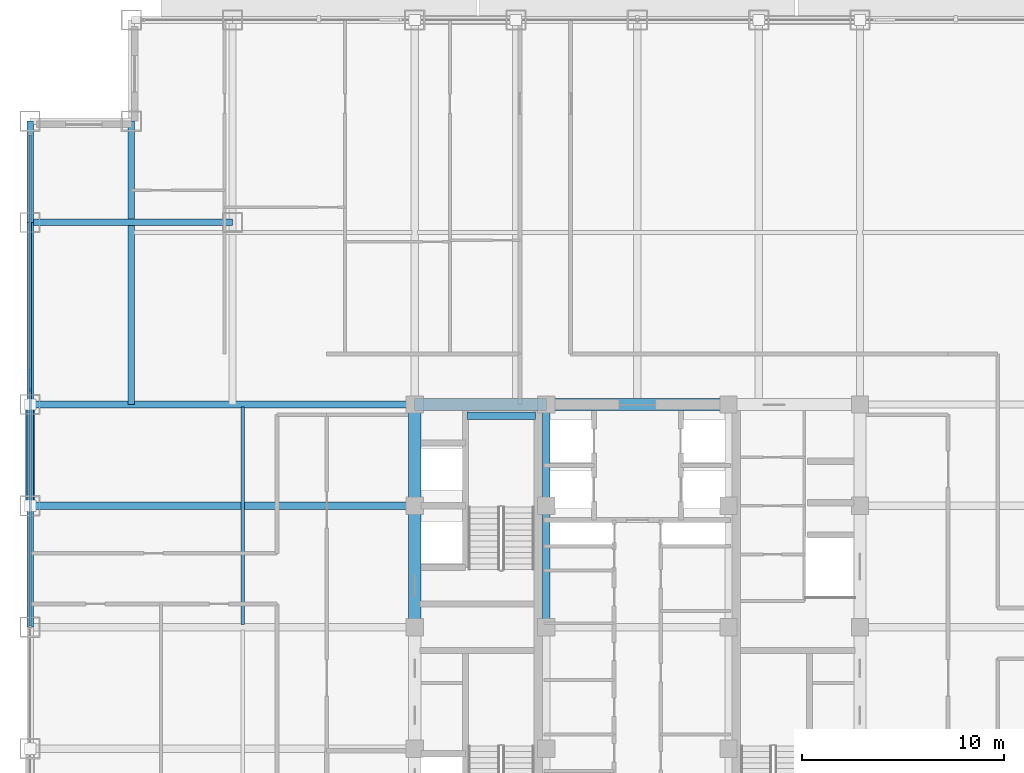
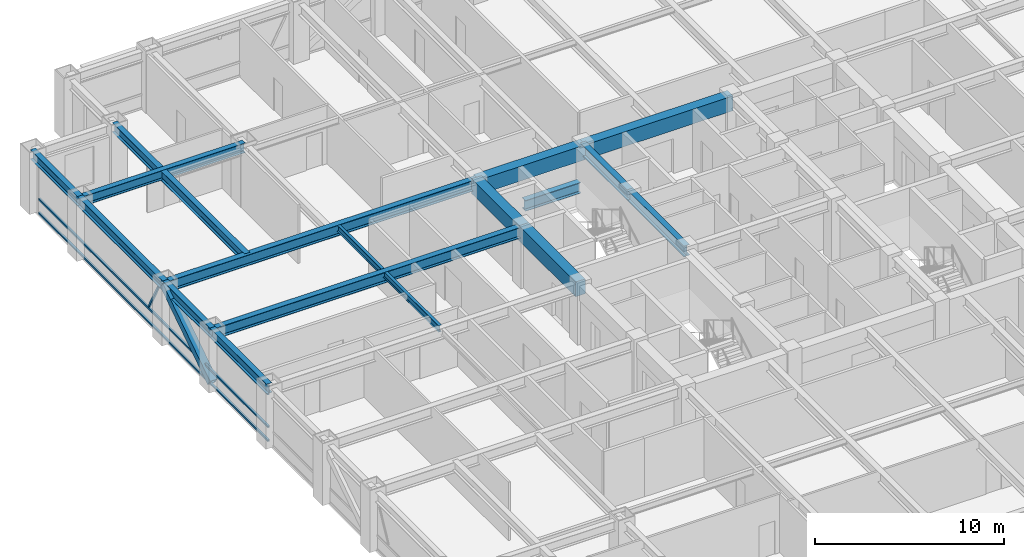
# One storey, part 11 of 29: 16 beams, 5 members, 1 element without a shape of its own.
"""IFC4 building model written with IfcOpenShell, lengths in metres."""

from ifc_helpers import new_model, si_unit, direction, frame, origin, origin_2d, place, context, subcontext, project, spatial, rectangle, hollow_rectangle, i_section, extrude, source, transform, mapped, material, material_profile, profile_set, type_object, element, aggregate, save


model = new_model("IFC4")

# Units and contexts
model_context = context("Model", 3, precision=1e-05, world=origin(), true_north=direction((0.0, 1.0)))
body_context = subcontext(model_context, "Body", "Model", "MODEL_VIEW")
ifc_project = project(units=[si_unit("LENGTHUNIT", "METRE"), si_unit("AREAUNIT", "SQUARE_METRE"), si_unit("VOLUMEUNIT", "CUBIC_METRE"), si_unit("PLANEANGLEUNIT", "RADIAN"), si_unit("MASSUNIT", "GRAM", prefix="KILO")], contexts=[model_context])

# Site, building, storey
site_placement = place(None, origin())
site = spatial("IfcSite", under=ifc_project, at=site_placement, CompositionType="ELEMENT")
building_placement = place(site_placement, origin())
building = spatial("IfcBuilding", under=site, at=building_placement, Name="Khorayat Bourse Tower", CompositionType="ELEMENT")
storey_placement = place(building_placement, frame((0.0, 0.0, 235.10009765625)))
storey = spatial("IfcBuildingStorey", under=building, at=storey_placement, Name="L55", CompositionType="ELEMENT", Elevation=235.10009765625)

# Beams
ifc_material_1 = material(Name="Steel ASTM A992 Grade 50", Category="steel")
ifc_material_profile_1 = material_profile(ifc_material_1, i_section(OverallWidth=0.35498046875, OverallDepth=0.695068359375, WebThickness=0.015380859375, FlangeThickness=0.02490234375, FilletRadius=0.01806640625, at=origin_2d()), Name="W690X217")
ifc_profile_set_1 = profile_set([ifc_material_profile_1], Name="Steel ASTM A992 Grade 50")
beam_type_1 = type_object("IfcBeamType", Name="BM-GIRD-690", PredefinedType="BEAM", material=ifc_profile_set_1)
shared_shape_1 = source(origin(), body_context, "Body", "SweptSolid", [
    extrude(i_section(OverallWidth=0.35498046875, OverallDepth=0.695068359375, WebThickness=0.015380859375, FlangeThickness=0.02490234375, FilletRadius=0.01806640625, at=origin_2d()), origin(), (0.0, 0.0, 1.0), 5.0),
])
beam_1_placement = place(storey_placement, frame((-4.5, 6.0, 3.432373046875), z_axis=(0.0, 1.0, 0.0), x_axis=(-1.0, 0.0, 0.0)))
element("IfcBeam", 1, at=beam_1_placement, inside=storey, type_object=beam_type_1, Name="L55 BM-GIRD-690 BM-L55-CRX-08", PredefinedType="BEAM", context=body_context, shape_type="MappedRepresentation", body=[
    mapped(shared_shape_1, transform((0.0, 0.0, 0.0), scale=1.0)),
])
shared_shape_2 = source(origin(), body_context, "Body", "SweptSolid", [
    extrude(i_section(OverallWidth=0.35498046875, OverallDepth=0.695068359375, WebThickness=0.015380859375, FlangeThickness=0.02490234375, FilletRadius=0.01806640625, at=origin_2d()), origin(), (0.0, 0.0, 1.0), 6.0),
])
beam_2_placement = place(storey_placement, frame((-4.5, 0.0, 3.432373046875), z_axis=(0.0, 1.0, 0.0), x_axis=(-1.0, 0.0, 0.0)))
element("IfcBeam", 2, at=beam_2_placement, inside=storey, type_object=beam_type_1, Name="L55 BM-GIRD-690 BM-L55-CRX-07", PredefinedType="BEAM", context=body_context, shape_type="MappedRepresentation", body=[
    mapped(shared_shape_2, transform((0.0, 0.0, 0.0), scale=1.0)),
])
shared_shape_3 = source(origin(), body_context, "Body", "SweptSolid", [
    extrude(i_section(OverallWidth=0.35498046875, OverallDepth=0.695068359375, WebThickness=0.015380859375, FlangeThickness=0.02490234375, FilletRadius=0.01806640625, at=origin_2d()), origin(), (0.0, 0.0, 1.0), 3.39990234375),
])
beam_3_placement = place(storey_placement, frame((-8.419921875, 10.449951171875, 1.452392578125), z_axis=(1.0, 0.0, 0.0), x_axis=(0.0, 1.0, 0.0)))
element("IfcBeam", 3, at=beam_3_placement, inside=storey, type_object=beam_type_1, Name="L55 BM-GIRD-690 BM-L55-ST2L", PredefinedType="BEAM", context=body_context, shape_type="MappedRepresentation", body=[
    mapped(shared_shape_3, transform((0.0, 0.0, 0.0), scale=1.0)),
])
ifc_material_profile_2 = material_profile(ifc_material_1, i_section(OverallWidth=0.324951171875, OverallDepth=0.615966796875, WebThickness=0.013916015625, FlangeThickness=0.021484375, FilletRadius=0.01611328125, at=origin_2d()), Name="W610X174")
ifc_profile_set_2 = profile_set([ifc_material_profile_2], Name="Steel ASTM A992 Grade 50")
beam_type_2 = type_object("IfcBeamType", Name="BM-GIRD-610", PredefinedType="BEAM", material=ifc_profile_set_2)
shared_shape_4 = source(origin(), body_context, "Body", "SweptSolid", [
    extrude(i_section(OverallWidth=0.324951171875, OverallDepth=0.615966796875, WebThickness=0.013916015625, FlangeThickness=0.021484375, FilletRadius=0.01611328125, at=origin_2d()), origin(), (0.0, 0.0, 1.0), 10.0),
])
beam_4_placement = place(storey_placement, frame((-30.0, 20.0, 3.471923828125), z_axis=(1.0, 0.0, 0.0), x_axis=(0.0, 1.0, 0.0)))
element("IfcBeam", 4, at=beam_4_placement, inside=storey, type_object=beam_type_2, Name="L55 BM-GIRD-610 BM-L55-CNRX-095", PredefinedType="BEAM", context=body_context, shape_type="MappedRepresentation", body=[
    mapped(shared_shape_4, transform((0.0, 0.0, 0.0), scale=1.0)),
])
ifc_material_profile_3 = material_profile(ifc_material_1, i_section(OverallWidth=0.180908203125, OverallDepth=0.4169921875, WebThickness=0.010986328125, FlangeThickness=0.018310546875, FilletRadius=0.011962890625, at=origin_2d()), Name="W410X85")
ifc_profile_set_3 = profile_set([ifc_material_profile_3], Name="Steel ASTM A992 Grade 50")
beam_type_3 = type_object("IfcBeamType", Name="BM-JOIST-410", PredefinedType="JOIST", material=ifc_profile_set_3)
shared_shape_5 = source(origin(), body_context, "Body", "SweptSolid", [
    extrude(i_section(OverallWidth=0.180908203125, OverallDepth=0.4169921875, WebThickness=0.010986328125, FlangeThickness=0.018310546875, FilletRadius=0.011962890625, at=origin_2d()), origin(), (0.0, 0.0, 1.0), 10.740234375),
])
beam_5_placement = place(storey_placement, frame((-19.5, 0.1298828125, 3.5712890625), z_axis=(0.0, 1.0, 0.0), x_axis=(-1.0, 0.0, 0.0)))
element("IfcBeam", 5, at=beam_5_placement, inside=storey, type_object=beam_type_3, Name="L55 BM-JOIST-410 BM-L55-JSTY-103", PredefinedType="JOIST", context=body_context, shape_type="MappedRepresentation", body=[
    mapped(shared_shape_5, transform((0.0, 0.0, 0.0), scale=1.0)),
])
ifc_material_profile_4 = material_profile(ifc_material_1, i_section(OverallWidth=0.324951171875, OverallDepth=0.615966796875, WebThickness=0.013916015625, FlangeThickness=0.021484375, FilletRadius=0.01611328125, at=origin_2d()), Name="W610X174")
ifc_profile_set_4 = profile_set([ifc_material_profile_4], Name="Steel ASTM A992 Grade 50")
beam_type_4 = type_object("IfcBeamType", Name="BM-SPAN-610", PredefinedType="SPANDREL", material=ifc_profile_set_4)
shared_shape_6 = source(origin(), body_context, "Body", "SweptSolid", [
    extrude(i_section(OverallWidth=0.324951171875, OverallDepth=0.615966796875, WebThickness=0.013916015625, FlangeThickness=0.021484375, FilletRadius=0.01611328125, at=origin_2d()), origin(), (0.0, 0.0, 1.0), 9.0),
])
beam_6_placement = place(storey_placement, frame((-30.0, 11.0, 3.471923828125), z_axis=(0.0, 1.0, 0.0), x_axis=(-1.0, 0.0, 0.0)))
element("IfcBeam", 6, at=beam_6_placement, inside=storey, type_object=beam_type_4, Name="L55 BM-SPAN-610 BM-L55-SPN-055", PredefinedType="SPANDREL", context=body_context, shape_type="MappedRepresentation", body=[
    mapped(shared_shape_6, transform((0.0, 0.0, 0.0), scale=1.0)),
])
shared_shape_7 = source(origin(), body_context, "Body", "SweptSolid", [
    extrude(i_section(OverallWidth=0.324951171875, OverallDepth=0.615966796875, WebThickness=0.013916015625, FlangeThickness=0.021484375, FilletRadius=0.01611328125, at=origin_2d()), origin(), (0.0, 0.0, 1.0), 5.0),
])
for number, where, z_axis, x_axis, name in (
    (7, (-30.0, 20.0, 3.471923828125), (0.0, 1.0, 0.0), (-1.0, 0.0, 0.0), "L55 BM-SPAN-610 BM-L55-SPN-054"),
    (8, (-30.0, 6.0, 3.471923828125), (0.0, 1.0, 0.0), (-1.0, 0.0, 0.0), "L55 BM-SPAN-610 BM-L55-SPN-056"),
):
    element("IfcBeam", number, at=place(storey_placement, frame(where, z_axis=z_axis, x_axis=x_axis)), inside=storey, type_object=beam_type_4, Name=name, PredefinedType="SPANDREL", context=body_context, shape_type="MappedRepresentation", body=[
        mapped(shared_shape_7, transform((0.0, 0.0, 0.0), scale=1.0)),
    ])
shared_shape_8 = source(origin(), body_context, "Body", "SweptSolid", [
    extrude(i_section(OverallWidth=0.324951171875, OverallDepth=0.615966796875, WebThickness=0.013916015625, FlangeThickness=0.021484375, FilletRadius=0.01611328125, at=origin_2d()), origin(), (0.0, 0.0, 1.0), 6.0),
])
beam_7_placement = place(storey_placement, frame((-30.0, 0.0, 3.471923828125), z_axis=(0.0, 1.0, 0.0), x_axis=(-1.0, 0.0, 0.0)))
element("IfcBeam", 9, at=beam_7_placement, inside=storey, type_object=beam_type_4, Name="L55 BM-SPAN-610 BM-L55-SPN-057", PredefinedType="SPANDREL", context=body_context, shape_type="MappedRepresentation", body=[
    mapped(shared_shape_8, transform((0.0, 0.0, 0.0), scale=1.0)),
])
ifc_material_2 = material(Name="Concrete C60/75", Category="concrete")
ifc_material_profile_5 = material_profile(ifc_material_2, rectangle(XDim=0.60009765625, YDim=0.949951171875, at=origin_2d()), Name="RC 600x950")
ifc_profile_set_5 = profile_set([ifc_material_profile_5], Name="Concrete C60/75")
beam_type_5 = type_object("IfcBeamType", Name="BM-COUP-950", PredefinedType="BEAM", material=ifc_profile_set_5)
shared_shape_9 = source(origin(), body_context, "Body", "SweptSolid", [
    extrude(rectangle(XDim=0.60009765625, YDim=0.949951171875, at=origin_2d()), origin(), (0.0, 0.0, 1.0), 5.0),
])
beam_8_placement = place(storey_placement, frame((-11.0, 6.0, 3.304931640625), z_axis=(0.0, 1.0, 0.0), x_axis=(-1.0, 0.0, 0.0)))
element("IfcBeam", 10, at=beam_8_placement, inside=storey, type_object=beam_type_5, Name="L55 BM-COUP-950 BM-L55-CRX-04", PredefinedType="BEAM", context=body_context, shape_type="MappedRepresentation", body=[
    mapped(shared_shape_9, transform((0.0, 0.0, 0.0), scale=1.0)),
])
shared_shape_10 = source(origin(), body_context, "Body", "SweptSolid", [
    extrude(rectangle(XDim=0.60009765625, YDim=0.949951171875, at=origin_2d()), origin(), (0.0, 0.0, 1.0), 6.0),
])
beam_9_placement = place(storey_placement, frame((-11.0, 0.0, 3.304931640625), z_axis=(0.0, 1.0, 0.0), x_axis=(-1.0, 0.0, 0.0)))
element("IfcBeam", 11, at=beam_9_placement, inside=storey, type_object=beam_type_5, Name="L55 BM-COUP-950 BM-L55-CRX-03", PredefinedType="BEAM", context=body_context, shape_type="MappedRepresentation", body=[
    mapped(shared_shape_10, transform((0.0, 0.0, 0.0), scale=1.0)),
])
shared_shape_11 = source(origin(), body_context, "Body", "SweptSolid", [
    extrude(rectangle(XDim=0.60009765625, YDim=0.949951171875, at=origin_2d()), origin(), (0.0, 0.0, 1.0), 6.5),
])
beam_10_placement = place(storey_placement, frame((-11.0, 11.0, 3.304931640625), z_axis=(1.0, 0.0, 0.0), x_axis=(0.0, 1.0, 0.0)))
element("IfcBeam", 12, at=beam_10_placement, inside=storey, type_object=beam_type_5, Name="L55 BM-COUP-950 BM-L55-CRY-20", PredefinedType="BEAM", context=body_context, shape_type="MappedRepresentation", body=[
    mapped(shared_shape_11, transform((0.0, 0.0, 0.0), scale=1.0)),
])
shared_shape_12 = source(origin(), body_context, "Body", "SweptSolid", [
    extrude(rectangle(XDim=0.60009765625, YDim=0.949951171875, at=origin_2d()), origin(), (0.0, 0.0, 1.0), 9.0),
])
beam_11_placement = place(storey_placement, frame((-4.5, 11.0, 3.304931640625), z_axis=(1.0, 0.0, 0.0), x_axis=(0.0, 1.0, 0.0)))
element("IfcBeam", 13, at=beam_11_placement, inside=storey, type_object=beam_type_5, Name="L55 BM-COUP-950 BM-L55-CRY-21", PredefinedType="BEAM", context=body_context, shape_type="MappedRepresentation", body=[
    mapped(shared_shape_12, transform((0.0, 0.0, 0.0), scale=1.0)),
])
shared_shape_13 = source(origin(), body_context, "Body", "SweptSolid", [
    extrude(i_section(OverallWidth=0.35498046875, OverallDepth=0.695068359375, WebThickness=0.015380859375, FlangeThickness=0.02490234375, FilletRadius=0.01806640625, at=origin_2d()), origin(), (0.0, 0.0, 1.0), 19.0),
])
for number, where, z_axis, x_axis, name in (
    (14, (-30.0, 6.0, 3.432373046875), (1.0, 0.0, 0.0), (0.0, 1.0, 0.0), "L55 BM-GIRD-690 BM-L55-RADX-081"),
    (15, (-30.0, 11.0, 3.432373046875), (1.0, 0.0, 0.0), (0.0, 1.0, 0.0), "L55 BM-GIRD-690 BM-L55-RADX-083"),
):
    element("IfcBeam", number, at=place(storey_placement, frame(where, z_axis=z_axis, x_axis=x_axis)), inside=storey, type_object=beam_type_1, Name=name, PredefinedType="BEAM", context=body_context, shape_type="MappedRepresentation", body=[
        mapped(shared_shape_13, transform((0.0, 0.0, 0.0), scale=1.0)),
    ])
shared_shape_14 = source(origin(), body_context, "Body", "SweptSolid", [
    extrude(i_section(OverallWidth=0.324951171875, OverallDepth=0.615966796875, WebThickness=0.013916015625, FlangeThickness=0.021484375, FilletRadius=0.01611328125, at=origin_2d()), origin(), (0.0, 0.0, 1.0), 14.0),
])
beam_12_placement = place(storey_placement, frame((-25.0, 11.0, 3.471923828125), z_axis=(0.0, 1.0, 0.0), x_axis=(-1.0, 0.0, 0.0)))
element("IfcBeam", 16, at=beam_12_placement, inside=storey, type_object=beam_type_2, Name="L55 BM-GIRD-610 BM-L55-CNRY-089", PredefinedType="BEAM", context=body_context, shape_type="MappedRepresentation", body=[
    mapped(shared_shape_14, transform((0.0, 0.0, 0.0), scale=1.0)),
])

# Member
ifc_material_3 = material(Name="Steel EN 10025-4 S460M", Category="steel")
ifc_material_profile_6 = material_profile(ifc_material_3, hollow_rectangle(XDim=0.449951171875, YDim=0.449951171875, WallThickness=0.02490234375, at=origin_2d()), Name="HSS 450x450x25")
ifc_profile_set_6 = profile_set([ifc_material_profile_6], Name="Steel EN 10025-4 S460M")
member_type_1 = type_object("IfcMemberType", Name="MBR-TUBE-450", PredefinedType="BRACE", material=ifc_profile_set_6)
shared_shape_15 = source(origin(), body_context, "Body", "SweptSolid", [
    extrude(hollow_rectangle(XDim=0.449951171875, YDim=0.449951171875, WallThickness=0.02490234375, at=origin_2d()), origin(), (0.0, 0.0, 1.0), 5.979736328125),
])
member_1_placement = place(storey_placement, frame((-30.0, 6.0, 0.25), z_axis=(0.0, 0.836160261256, 0.548485202623), x_axis=(-1.0, 0.0, 0.0)))
element("IfcMember", 17, at=member_1_placement, inside=storey, type_object=member_type_1, Name="L55 Perimeter Tube Brace 06", PredefinedType="BRACE", context=body_context, shape_type="MappedRepresentation", body=[
    mapped(shared_shape_15, transform((0.0, 0.0, 0.0), scale=1.0)),
])

# Curtain wall, members
ifc_material_4 = material(Name="Aluminium EN AW-6063 T6", Category="aluminium")
curtain_wall_type = type_object("IfcCurtainWallType", Name="CW-SYS-03", PredefinedType="NOTDEFINED", material=ifc_material_4)
curtain_wall_placement = place(storey_placement, origin())
curtain_wall = element("IfcCurtainWall", 18, at=curtain_wall_placement, inside=storey, type_object=curtain_wall_type, Name="L55 Curtain Wall CW-L55-W1", PredefinedType="NOTDEFINED")
ifc_material_profile_7 = material_profile(ifc_material_4, hollow_rectangle(XDim=0.1201171875, YDim=0.1201171875, WallThickness=0.0048828125, at=origin_2d()), Name="ALU 120x120x5")
ifc_profile_set_7 = profile_set([ifc_material_profile_7], Name="Aluminium EN AW-6063 T6")
member_type_2 = type_object("IfcMemberType", Name="CWM-DIAG-120", PredefinedType="MULLION", material=ifc_profile_set_7)
shared_shape_16 = source(origin(), body_context, "Body", "SweptSolid", [
    extrude(hollow_rectangle(XDim=0.1201171875, YDim=0.1201171875, WallThickness=0.0048828125, at=origin_2d()), origin(), (0.0, 0.0, 1.0), 2.079345703125),
])
member_2_placement = place(storey_placement, frame((-30.0, 12.67919921875, 1.08984375), z_axis=(0.0, -0.465760949701, 0.884910581773), x_axis=(1.0, 0.0, 0.0)))
member_2 = element("IfcMember", 19, at=member_2_placement, type_object=member_type_2, Name="CW-L55-W1 Faceted Diagonal Mullion 2", PredefinedType="MULLION", context=body_context, shape_type="MappedRepresentation", body=[
    mapped(shared_shape_16, transform((0.0, 0.0, 0.0), scale=1.0)),
])
ifc_material_profile_8 = material_profile(ifc_material_4, hollow_rectangle(XDim=0.1201171875, YDim=0.1201171875, WallThickness=0.0048828125, at=origin_2d()), Name="ALU 120x120x5")
ifc_profile_set_8 = profile_set([ifc_material_profile_8], Name="Aluminium EN AW-6063 T6")
member_type_3 = type_object("IfcMemberType", Name="CWT-HORZ-120", PredefinedType="USERDEFINED", material=ifc_profile_set_8)
shared_shape_17 = source(origin(), body_context, "Body", "SweptSolid", [
    extrude(hollow_rectangle(XDim=0.1201171875, YDim=0.1201171875, WallThickness=0.0048828125, at=origin_2d()), origin(), (0.0, 0.0, 1.0), 24.27001953125),
])
member_3_placement = place(storey_placement, frame((-30.0, 0.06005859375, 0.059814453125), z_axis=(0.0, 1.0, 0.0), x_axis=(-1.0, 0.0, 0.0)))
member_3 = element("IfcMember", 20, at=member_3_placement, type_object=member_type_3, Name="CW-L55-W1 Horizontal Transom 2-1", ObjectType="TRANSOM", PredefinedType="USERDEFINED", context=body_context, shape_type="MappedRepresentation", body=[
    mapped(shared_shape_17, transform((0.0, 0.0, 0.0), scale=1.0)),
])
member_4_placement = place(storey_placement, frame((-30.0, 0.06005859375, 0.949951171875), z_axis=(0.0, 1.0, 0.0), x_axis=(-1.0, 0.0, 0.0)))
member_4 = element("IfcMember", 21, at=member_4_placement, type_object=member_type_3, Name="CW-L55-W1 Horizontal Transom 2-2", ObjectType="TRANSOM", PredefinedType="USERDEFINED", context=body_context, shape_type="MappedRepresentation", body=[
    mapped(shared_shape_17, transform((0.0, 0.0, 0.0), scale=1.0)),
])
member_5_placement = place(storey_placement, frame((-30.0, 0.06005859375, 3.06982421875), z_axis=(0.0, 1.0, 0.0), x_axis=(-1.0, 0.0, 0.0)))
member_5 = element("IfcMember", 22, at=member_5_placement, type_object=member_type_3, Name="CW-L55-W1 Horizontal Transom 2-3", ObjectType="TRANSOM", PredefinedType="USERDEFINED", context=body_context, shape_type="MappedRepresentation", body=[
    mapped(shared_shape_17, transform((0.0, 0.0, 0.0), scale=1.0)),
])
aggregate(curtain_wall, [member_3, member_4, member_5, member_2])

save(model, "model.ifc")
